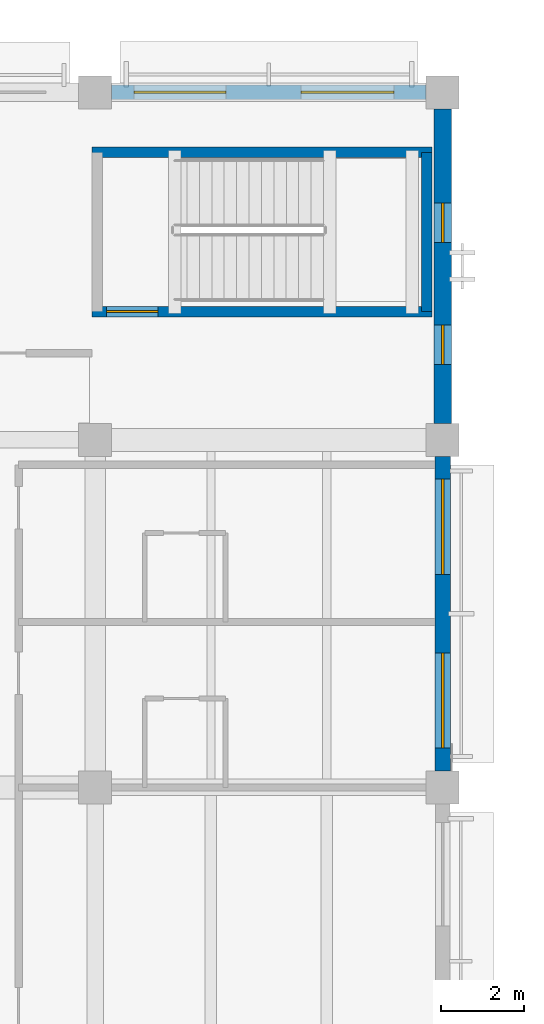
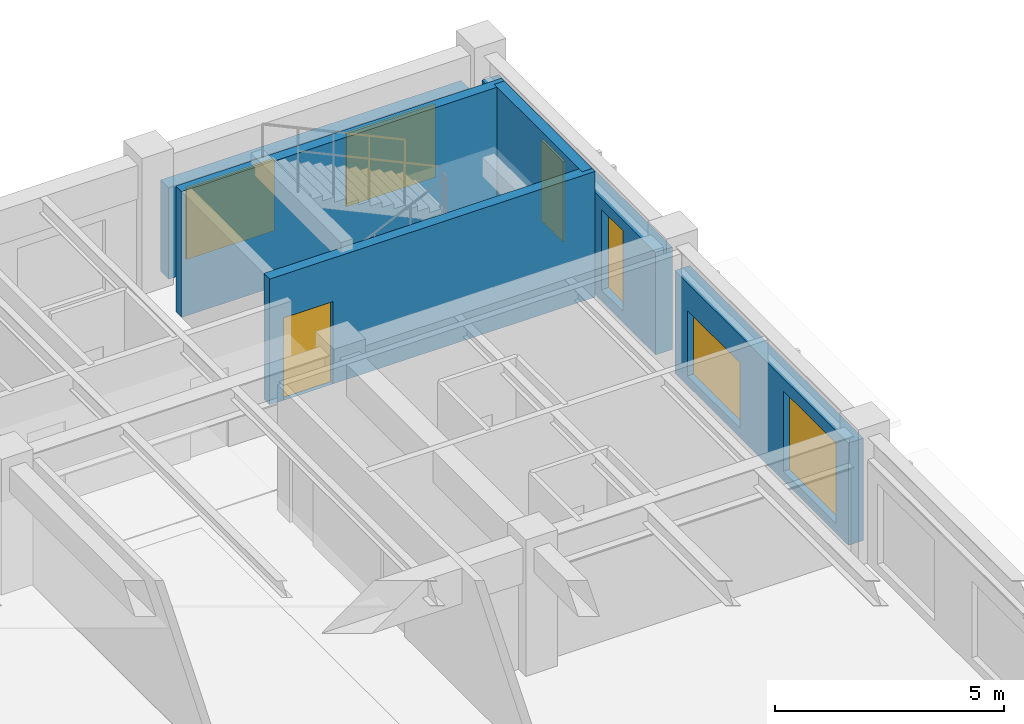
# One storey, part 83 of 118: 6 walls, 6 windows, 1 door, 7 openings.
"""IFC4 building model written with IfcOpenShell, lengths in metres."""

from ifc_helpers import new_model, si_unit, direction, frame, frame_2d, origin, place, context, subcontext, project, spatial, rectangle, extrude, material, layer, layer_set, type_object, element, fill, save


model = new_model("IFC4")

# Units and contexts
model_context = context("Model", 3, precision=1e-05, world=origin(), true_north=direction((0.0, 1.0)))
body_context = subcontext(model_context, "Body", "Model", "MODEL_VIEW")
ifc_project = project(units=[si_unit("LENGTHUNIT", "METRE"), si_unit("AREAUNIT", "SQUARE_METRE"), si_unit("VOLUMEUNIT", "CUBIC_METRE"), si_unit("PLANEANGLEUNIT", "RADIAN"), si_unit("MASSUNIT", "GRAM", prefix="KILO")], contexts=[model_context])

# Site, building, storey
site_placement = place(None, origin())
site = spatial("IfcSite", under=ifc_project, at=site_placement, CompositionType="ELEMENT")
building_placement = place(site_placement, origin())
building = spatial("IfcBuilding", under=site, at=building_placement, Name="Cumbredor Promenade Congress Hotel", CompositionType="ELEMENT")
storey_placement = place(building_placement, frame((0.0, 0.0, 3.919921875)))
storey = spatial("IfcBuildingStorey", under=building, at=storey_placement, Name="L01", CompositionType="ELEMENT", Elevation=3.919921875)

# Wall, openings, windows
ifc_material_1 = material(Name="Concrete C40/50", Category="concrete")
ifc_layer_1 = layer(ifc_material_1, 0.35009765625, Name="Concrete C40/50", Category="concrete")
ifc_layer_set_1 = layer_set([ifc_layer_1], Name="Concrete C40/50")
wall_type_1 = type_object("IfcWallType", Name="WL-EXT-350", PredefinedType="SOLIDWALL", material=ifc_layer_set_1)
wall_1_placement = place(storey_placement, frame((168.40087890625, 117.60009765625, 0.0), z_axis=(0.0, 0.0, 1.0), x_axis=(1.0, 0.0, 0.0)))
wall_1 = element("IfcWall", 1, at=wall_1_placement, inside=storey, type_object=wall_type_1, Name="L01 Pre-Function and Breakout Meeting Forum North Envelope Wall 10", PredefinedType="SOLIDWALL", context=body_context, shape_type="SweptSolid", body=[
    extrude(rectangle(XDim=7.59814453125, YDim=0.35009765625, at=frame_2d((3.799072265625, 0.0))), origin(), (0.0, 0.0, 1.0), 2.445068359375),
])
opening_1_placement = place(wall_1_placement, frame((0.5390625, 0.0, 0.25)))
opening_1 = element("IfcOpeningElement", 2, at=opening_1_placement, cuts=wall_1, Name="Opening WN-35", PredefinedType="OPENING", context=body_context, shape_type="SweptSolid", body=[
    extrude(rectangle(XDim=2.219970703125, YDim=1.89990234375, at=frame_2d((1.10986328125, 0.949951171875))), frame((0.0, 0.18505859375, 0.0), z_axis=(0.0, -1.0, 0.0), x_axis=(1.0, 0.0, 0.0)), (0.0, 0.0, 1.0), 0.3701171875),
])
opening_2_placement = place(wall_1_placement, frame((4.573974609375, 0.0, 0.25)))
opening_2 = element("IfcOpeningElement", 3, at=opening_2_placement, cuts=wall_1, Name="Opening WN-07", PredefinedType="OPENING", context=body_context, shape_type="SweptSolid", body=[
    extrude(rectangle(XDim=2.25, YDim=1.949951171875, at=frame_2d((1.125, 0.97509765625))), frame((0.0, 0.18505859375, 0.0), z_axis=(0.0, -1.0, 0.0), x_axis=(1.0, 0.0, 0.0)), (0.0, 0.0, 1.0), 0.3701171875),
])
ifc_material_2 = material(Name="Thermally broken anodized aluminium and low-E glass", Category="aluminium")
window_type_1 = type_object("IfcWindowType", Name="Hospitality Floor-to-Ceiling Window WN-07 2250x1950", PartitioningType="DOUBLE_PANEL_VERTICAL", PredefinedType="WINDOW", material=ifc_material_2)
window_1_placement = place(opening_2_placement, origin())
window_1 = element("IfcWindow", 4, at=window_1_placement, inside=storey, type_object=window_type_1, Name="L01 Wide Hospitality Window 0176", OverallHeight=1.949951171875, OverallWidth=2.25, PartitioningType="DOUBLE_PANEL_VERTICAL", PredefinedType="WINDOW", context=body_context, shape_type="SweptSolid", body=[
    extrude(rectangle(XDim=2.25, YDim=1.949951171875, at=frame_2d((1.125, 0.97509765625))), frame((0.0, 0.030029296875, 0.0), z_axis=(0.0, -1.0, 0.0), x_axis=(1.0, 0.0, 0.0)), (0.0, 0.0, 1.0), 0.06005859375),
])
fill(opening_2, window_1)
window_type_2 = type_object("IfcWindowType", Name="Hospitality Floor-to-Ceiling Window WN-35 2220x1900", PartitioningType="DOUBLE_PANEL_VERTICAL", PredefinedType="WINDOW", material=ifc_material_2)
window_2_placement = place(opening_1_placement, origin())
window_2 = element("IfcWindow", 5, at=window_2_placement, inside=storey, type_object=window_type_2, Name="L01 Wide Hospitality Window 0175", OverallHeight=1.89990234375, OverallWidth=2.219970703125, PartitioningType="DOUBLE_PANEL_VERTICAL", PredefinedType="WINDOW", context=body_context, shape_type="SweptSolid", body=[
    extrude(rectangle(XDim=2.219970703125, YDim=1.89990234375, at=frame_2d((1.10986328125, 0.949951171875))), frame((0.0, 0.030029296875, 0.0), z_axis=(0.0, -1.0, 0.0), x_axis=(1.0, 0.0, 0.0)), (0.0, 0.0, 1.0), 0.06005859375),
])
fill(opening_1, window_2)

ifc_layer_2 = layer(ifc_material_1, 0.3798828125, Name="Concrete C40/50", Category="concrete")
ifc_layer_set_2 = layer_set([ifc_layer_2], Name="Concrete C40/50")
wall_type_2 = type_object("IfcWallType", Name="WL-EXT-380", PredefinedType="SOLIDWALL", material=ifc_layer_set_2)
wall_2_placement = place(storey_placement, frame((176.39990234375, 101.200927734375, 0.0), z_axis=(0.0, 0.0, 1.0), x_axis=(0.0, 1.0, 0.0)))
wall_2 = element("IfcWall", 6, at=wall_2_placement, inside=storey, type_object=wall_type_2, Name="L01 Pre-Function and Breakout Meeting Forum East Envelope Wall 3", PredefinedType="SOLIDWALL", context=body_context, shape_type="SweptSolid", body=[
    extrude(rectangle(XDim=7.59814453125, YDim=0.3798828125, at=frame_2d((3.799072265625, 0.0))), origin(), (0.0, 0.0, 1.0), 2.734130859375),
])
opening_3_placement = place(wall_2_placement, frame((0.549072265625, 0.0, 0.25)))
opening_3 = element("IfcOpeningElement", 7, at=opening_3_placement, cuts=wall_2, Name="Opening WN-19", PredefinedType="OPENING", context=body_context, shape_type="SweptSolid", body=[
    extrude(rectangle(XDim=2.300048828125, YDim=2.14990234375, at=frame_2d((1.14990234375, 1.074951171875))), frame((0.0, 0.199951171875, 0.0), z_axis=(0.0, -1.0, 0.0), x_axis=(1.0, 0.0, 0.0)), (0.0, 0.0, 1.0), 0.39990234375),
])
opening_4_placement = place(wall_2_placement, frame((4.7490234375, 0.0, 0.25)))
opening_4 = element("IfcOpeningElement", 8, at=opening_4_placement, cuts=wall_2, Name="Opening WN-25", PredefinedType="OPENING", context=body_context, shape_type="SweptSolid", body=[
    extrude(rectangle(XDim=2.300048828125, YDim=1.75, at=frame_2d((1.14990234375, 0.875))), frame((0.0, 0.199951171875, 0.0), z_axis=(0.0, -1.0, 0.0), x_axis=(1.0, 0.0, 0.0)), (0.0, 0.0, 1.0), 0.39990234375),
])
window_type_3 = type_object("IfcWindowType", Name="Hospitality Floor-to-Ceiling Window WN-19 2300x2150", PartitioningType="DOUBLE_PANEL_VERTICAL", PredefinedType="WINDOW", material=ifc_material_2)
window_3_placement = place(opening_3_placement, origin())
window_3 = element("IfcWindow", 9, at=window_3_placement, inside=storey, type_object=window_type_3, Name="L01 Wide Hospitality Window 0185", OverallHeight=2.14990234375, OverallWidth=2.300048828125, PartitioningType="DOUBLE_PANEL_VERTICAL", PredefinedType="WINDOW", context=body_context, shape_type="SweptSolid", body=[
    extrude(rectangle(XDim=2.300048828125, YDim=2.14990234375, at=frame_2d((1.14990234375, 1.074951171875))), frame((0.0, 0.030029296875, 0.0), z_axis=(0.0, -1.0, 0.0), x_axis=(1.0, 0.0, 0.0)), (0.0, 0.0, 1.0), 0.06005859375),
])
fill(opening_3, window_3)
window_type_4 = type_object("IfcWindowType", Name="Hospitality Floor-to-Ceiling Window WN-25 2300x1750", PartitioningType="DOUBLE_PANEL_VERTICAL", PredefinedType="WINDOW", material=ifc_material_2)
window_4_placement = place(opening_4_placement, origin())
window_4 = element("IfcWindow", 10, at=window_4_placement, inside=storey, type_object=window_type_4, Name="L01 Wide Hospitality Window 0186", OverallHeight=1.75, OverallWidth=2.300048828125, PartitioningType="DOUBLE_PANEL_VERTICAL", PredefinedType="WINDOW", context=body_context, shape_type="SweptSolid", body=[
    extrude(rectangle(XDim=2.300048828125, YDim=1.75, at=frame_2d((1.14990234375, 0.875))), frame((0.0, 0.030029296875, 0.0), z_axis=(0.0, -1.0, 0.0), x_axis=(1.0, 0.0, 0.0)), (0.0, 0.0, 1.0), 0.06005859375),
])
fill(opening_4, window_4)

ifc_layer_3 = layer(ifc_material_1, 0.425048828125, Name="Concrete C40/50", Category="concrete")
ifc_layer_set_3 = layer_set([ifc_layer_3], Name="Concrete C40/50")
wall_type_3 = type_object("IfcWallType", Name="WL-EXT-425", PredefinedType="SOLIDWALL", material=ifc_layer_set_3)
wall_3_placement = place(storey_placement, frame((176.39990234375, 109.60107421875, 0.0), z_axis=(0.0, 0.0, 1.0), x_axis=(0.0, 1.0, 0.0)))
wall_3 = element("IfcWall", 11, at=wall_3_placement, inside=storey, type_object=wall_type_3, Name="L01 Pre-Function and Breakout Meeting Forum East Envelope Wall 4", PredefinedType="SOLIDWALL", context=body_context, shape_type="SweptSolid", body=[
    extrude(rectangle(XDim=7.597900390625, YDim=0.425048828125, at=frame_2d((3.798828125, 0.0))), origin(), (0.0, 0.0, 1.0), 2.734130859375),
])
opening_5_placement = place(wall_3_placement, frame((1.424072265625, 0.0, 0.300048828125)))
opening_5 = element("IfcOpeningElement", 12, at=opening_5_placement, cuts=wall_3, Name="Opening WN-60", PredefinedType="OPENING", context=body_context, shape_type="SweptSolid", body=[
    extrude(rectangle(XDim=0.949951171875, YDim=2.14990234375, at=frame_2d((0.47509765625, 1.074951171875))), frame((0.0, 0.22265625, 0.0), z_axis=(0.0, -1.0, 0.0), x_axis=(1.0, 0.0, 0.0)), (0.0, 0.0, 1.0), 0.445068359375),
])
opening_6_placement = place(wall_3_placement, frame((4.3740234375, 0.0, 0.300048828125)))
opening_6 = element("IfcOpeningElement", 13, at=opening_6_placement, cuts=wall_3, Name="Opening WN-60", PredefinedType="OPENING", context=body_context, shape_type="SweptSolid", body=[
    extrude(rectangle(XDim=0.949951171875, YDim=2.14990234375, at=frame_2d((0.47509765625, 1.074951171875))), frame((0.0, 0.22265625, 0.0), z_axis=(0.0, -1.0, 0.0), x_axis=(1.0, 0.0, 0.0)), (0.0, 0.0, 1.0), 0.445068359375),
])
window_type_5 = type_object("IfcWindowType", Name="Vertical Slot Window WN-60 950x2150", PartitioningType="SINGLE_PANEL", PredefinedType="WINDOW", material=ifc_material_2)
window_5_placement = place(opening_5_placement, origin())
window_5 = element("IfcWindow", 14, at=window_5_placement, inside=storey, type_object=window_type_5, Name="L01 Vertical Slot Window 0187", OverallHeight=2.14990234375, OverallWidth=0.949951171875, PartitioningType="SINGLE_PANEL", PredefinedType="WINDOW", context=body_context, shape_type="SweptSolid", body=[
    extrude(rectangle(XDim=0.949951171875, YDim=2.14990234375, at=frame_2d((0.47509765625, 1.074951171875))), frame((0.0, 0.030029296875, 0.0), z_axis=(0.0, -1.0, 0.0), x_axis=(1.0, 0.0, 0.0)), (0.0, 0.0, 1.0), 0.06005859375),
])
fill(opening_5, window_5)
window_6_placement = place(opening_6_placement, origin())
window_6 = element("IfcWindow", 15, at=window_6_placement, inside=storey, type_object=window_type_5, Name="L01 Vertical Slot Window 0188", OverallHeight=2.14990234375, OverallWidth=0.949951171875, PartitioningType="SINGLE_PANEL", PredefinedType="WINDOW", context=body_context, shape_type="SweptSolid", body=[
    extrude(rectangle(XDim=0.949951171875, YDim=2.14990234375, at=frame_2d((0.47509765625, 1.074951171875))), frame((0.0, 0.030029296875, 0.0), z_axis=(0.0, -1.0, 0.0), x_axis=(1.0, 0.0, 0.0)), (0.0, 0.0, 1.0), 0.06005859375),
])
fill(opening_6, window_6)

# Wall, opening, door
ifc_layer_4 = layer(ifc_material_1, 0.2548828125, Name="Concrete C40/50", Category="concrete")
ifc_layer_set_4 = layer_set([ifc_layer_4], Name="Concrete C40/50")
wall_type_4 = type_object("IfcWallType", Name="WL-SHAFT-250", PredefinedType="SOLIDWALL", material=ifc_layer_set_4)
wall_4_placement = place(storey_placement, frame((167.922607421875, 112.300048828125, 0.0), z_axis=(0.0, 0.0, 1.0), x_axis=(1.0, 0.0, 0.0)))
wall_4 = element("IfcWall", 16, at=wall_4_placement, inside=storey, type_object=wall_type_4, Name="STAIR-ST-16-L01 Shaft Wall South", PredefinedType="SOLIDWALL", context=body_context, shape_type="SweptSolid", body=[
    extrude(rectangle(XDim=8.224853515625, YDim=0.2548828125, at=frame_2d((4.1123046875, 0.0))), origin(), (0.0, 0.0, 1.0), 3.360107421875),
])
opening_7_placement = place(wall_4_placement, frame((0.35009765625, 0.0, 0.0)))
opening_7 = element("IfcOpeningElement", 17, at=opening_7_placement, cuts=wall_4, Name="Opening SD-02", PredefinedType="OPENING", context=body_context, shape_type="SweptSolid", body=[
    extrude(rectangle(XDim=1.25, YDim=2.199951171875, at=frame_2d((0.625, 1.10009765625))), frame((0.0, 0.137451171875, 0.0), z_axis=(0.0, -1.0, 0.0), x_axis=(1.0, 0.0, 0.0)), (0.0, 0.0, 1.0), 0.27490234375),
])
ifc_material_3 = material(Name="Painted galvanized steel fire door", Category="steel")
door_type = type_object("IfcDoorType", Name="DR-STAIR-FD90-1250", OperationType="NOTDEFINED", PredefinedType="DOOR", material=ifc_material_3)
door_placement = place(opening_7_placement, origin())
door = element("IfcDoor", 18, at=door_placement, inside=storey, type_object=door_type, Name="L01 Protected Exit Stair ST-16 Door", OperationType="SINGLE_SWING_LEFT", OverallHeight=2.199951171875, OverallWidth=1.25, PredefinedType="DOOR", context=body_context, shape_type="SweptSolid", body=[
    extrude(rectangle(XDim=1.25, YDim=2.199951171875, at=frame_2d((0.625, 1.10009765625))), frame((0.0, 0.02490234375, 0.0), z_axis=(0.0, -1.0, 0.0), x_axis=(1.0, 0.0, 0.0)), (0.0, 0.0, 1.0), 0.050048828125),
])
fill(opening_7, door)

# Walls
wall_5_placement = place(storey_placement, frame((167.922607421875, 116.14990234375, 0.0), z_axis=(0.0, 0.0, 1.0), x_axis=(1.0, 0.0, 0.0)))
element("IfcWall", 19, at=wall_5_placement, inside=storey, type_object=wall_type_4, Name="STAIR-ST-16-L01 Shaft Wall North", PredefinedType="SOLIDWALL", context=body_context, shape_type="SweptSolid", body=[
    extrude(rectangle(XDim=8.224853515625, YDim=0.2548828125, at=frame_2d((4.1123046875, 0.0))), origin(), (0.0, 0.0, 1.0), 3.360107421875),
])
wall_6_placement = place(storey_placement, frame((176.02001953125, 112.300048828125, 0.0), z_axis=(0.0, 0.0, 1.0), x_axis=(0.0, 1.0, 0.0)))
element("IfcWall", 20, at=wall_6_placement, inside=storey, type_object=wall_type_4, Name="STAIR-ST-16-L01 Shaft Wall East", PredefinedType="SOLIDWALL", context=body_context, shape_type="SweptSolid", body=[
    extrude(rectangle(XDim=3.849853515625, YDim=0.2548828125, at=frame_2d((1.9248046875, 0.0))), origin(), (0.0, 0.0, 1.0), 3.360107421875),
])

save(model, "model.ifc")
